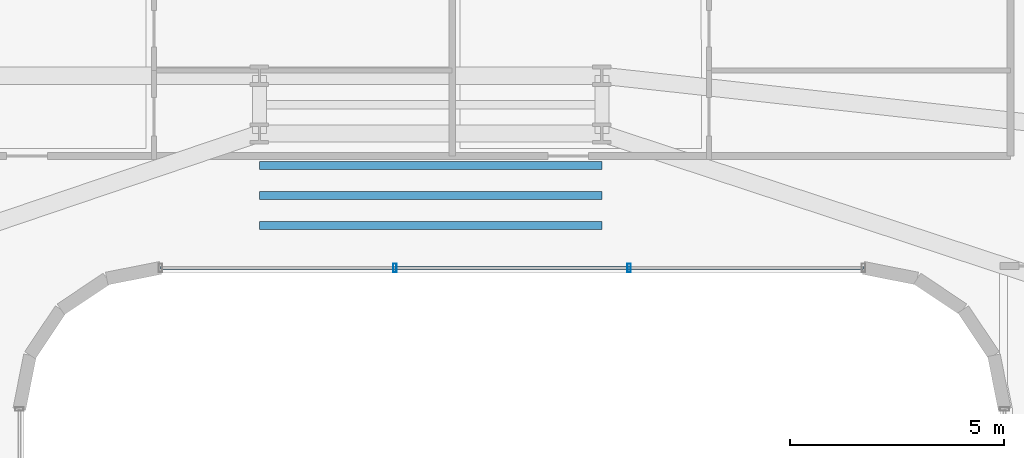
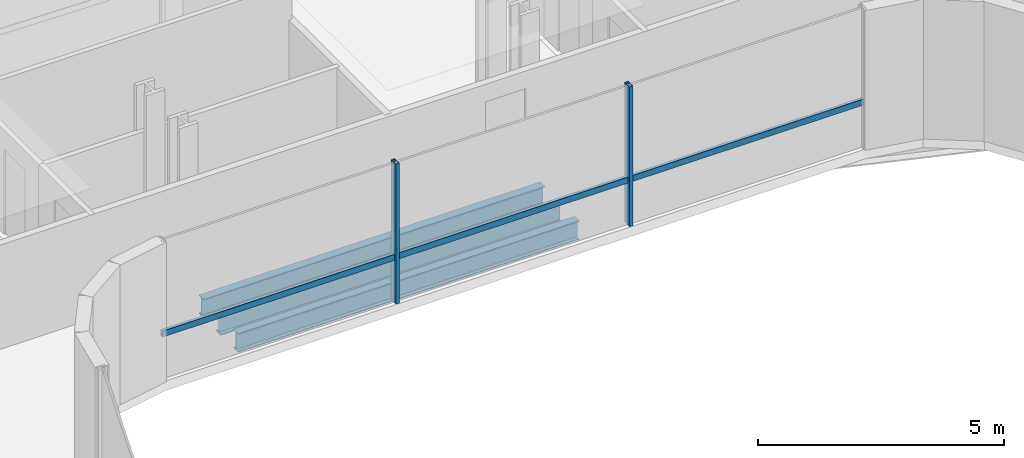
# One storey, part 16 of 41: 3 beams, 3 members, 1 element without a shape of its own.
"""IFC4 building model written with IfcOpenShell, lengths in metres."""

from ifc_helpers import new_model, si_unit, direction, frame, origin, origin_2d, place, context, subcontext, project, spatial, hollow_rectangle, i_section, extrude, source, transform, mapped, material, material_profile, profile_set, type_object, element, aggregate, save


model = new_model("IFC4")

# Units and contexts
model_context = context("Model", 3, precision=1e-05, world=origin(), true_north=direction((0.0, 1.0)))
body_context = subcontext(model_context, "Body", "Model", "MODEL_VIEW")
ifc_project = project(units=[si_unit("LENGTHUNIT", "METRE"), si_unit("AREAUNIT", "SQUARE_METRE"), si_unit("VOLUMEUNIT", "CUBIC_METRE"), si_unit("PLANEANGLEUNIT", "RADIAN"), si_unit("MASSUNIT", "GRAM", prefix="KILO")], contexts=[model_context])

# Site, building, storey
site_placement = place(None, origin())
site = spatial("IfcSite", under=ifc_project, at=site_placement, CompositionType="ELEMENT")
building_placement = place(site_placement, origin())
building = spatial("IfcBuilding", under=site, at=building_placement, Name="Valdorenza Pilgrim Sanctuary Tower", CompositionType="ELEMENT")
storey_placement = place(building_placement, frame((0.0, 0.0, 88.89990234375)))
storey = spatial("IfcBuildingStorey", under=building, at=storey_placement, Name="L22", CompositionType="ELEMENT", Elevation=88.89990234375)

# Beams
ifc_material_1 = material(Name="Steel ASTM A992 Grade 50", Category="steel")
ifc_material_profile_1 = material_profile(ifc_material_1, i_section(OverallWidth=0.193115234375, OverallDepth=0.466064453125, WebThickness=0.011474609375, FlangeThickness=0.01904296875, at=origin_2d()), Name="W18X65")
ifc_profile_set_1 = profile_set([ifc_material_profile_1], Name="Steel ASTM A992 Grade 50")
beam_type = type_object("IfcBeamType", Name="STR-BM-JST-W18A", PredefinedType="JOIST", material=ifc_profile_set_1)
shared_shape_1 = source(origin(), body_context, "Body", "SweptSolid", [
    extrude(i_section(OverallWidth=0.193115234375, OverallDepth=0.466064453125, WebThickness=0.011474609375, FlangeThickness=0.01904296875, at=origin_2d()), origin(), (0.0, 0.0, 1.0), 8.0),
])
for number, where, z_axis, x_axis, name in (
    (1, (-4.0, 11.300048828125, -0.472900390625), (1.0, 0.0, 0.0), (0.0, 1.0, 0.0), "L22 Knuckle Composite Joist JST-KNK-1"),
    (2, (-4.0, 12.0, -0.472900390625), (1.0, 0.0, 0.0), (0.0, 1.0, 0.0), "L22 Knuckle Composite Joist JST-KNK-2"),
    (3, (-4.0, 12.699951171875, -0.472900390625), (1.0, 0.0, 0.0), (0.0, 1.0, 0.0), "L22 Knuckle Composite Joist JST-KNK-3"),
):
    element("IfcBeam", number, at=place(storey_placement, frame(where, z_axis=z_axis, x_axis=x_axis)), inside=storey, type_object=beam_type, Name=name, PredefinedType="JOIST", context=body_context, shape_type="MappedRepresentation", body=[
        mapped(shared_shape_1, transform((0.0, 0.0, 0.0), x_axis=(1.0, 0.0, 0.0), y_axis=(0.0, 1.0, 0.0), z_axis=(0.0, 0.0, 1.0), scale=1.0)),
    ])

# Curtain wall, members
ifc_material_2 = material(Name="Curtain-wall IGU glazing", Category="glass")
curtain_wall_type = type_object("IfcCurtainWallType", Name="CW-SYS-02", PredefinedType="NOTDEFINED", material=ifc_material_2)
curtain_wall_placement = place(storey_placement, origin())
curtain_wall = element("IfcCurtainWall", 4, at=curtain_wall_placement, inside=storey, type_object=curtain_wall_type, Name="L22 Curtain Wall CW-L22-1-36", PredefinedType="NOTDEFINED")
ifc_material_3 = material(Name="Anodised aluminium AW-6060", Category="aluminium")
ifc_material_profile_2 = material_profile(ifc_material_3, hollow_rectangle(XDim=0.074951171875, YDim=0.14990234375, WallThickness=0.00390625, at=origin_2d()), Name="ALU-T 150x75x4")
ifc_profile_set_2 = profile_set([ifc_material_profile_2], Name="Anodised aluminium AW-6060")
member_type_1 = type_object("IfcMemberType", Name="CW-TRN-02", PredefinedType="USERDEFINED", material=ifc_profile_set_2)
shared_shape_2 = source(origin(), body_context, "Body", "SweptSolid", [
    extrude(hollow_rectangle(XDim=0.074951171875, YDim=0.14990234375, WallThickness=0.00390625, at=origin_2d()), origin(), (0.0, 0.0, 1.0), 16.421630859375),
])
member_1_placement = place(storey_placement, frame((10.11083984375, 10.31005859375, 1.1201171875), z_axis=(-1.0, 0.0, 0.0), x_axis=(0.0, -1.0, 0.0)))
member_1 = element("IfcMember", 5, at=member_1_placement, type_object=member_type_1, Name="CW-L22-1-36 Transom 1", ObjectType="TRANSOM", PredefinedType="USERDEFINED", context=body_context, shape_type="MappedRepresentation", body=[
    mapped(shared_shape_2, transform((0.0, 0.0, 0.0), x_axis=(1.0, 0.0, 0.0), y_axis=(0.0, 1.0, 0.0), z_axis=(0.0, 0.0, 1.0), scale=1.0)),
])
ifc_material_profile_3 = material_profile(ifc_material_3, hollow_rectangle(XDim=0.0849609375, YDim=0.199951171875, WallThickness=0.0048828125, at=origin_2d()), Name="ALU-M 200x85x5")
ifc_profile_set_3 = profile_set([ifc_material_profile_3], Name="Anodised aluminium AW-6060")
member_type_2 = type_object("IfcMemberType", Name="CW-MUL-02", PredefinedType="MULLION", material=ifc_profile_set_3)
shared_shape_3 = source(origin(), body_context, "Body", "SweptSolid", [
    extrude(hollow_rectangle(XDim=0.0849609375, YDim=0.199951171875, WallThickness=0.0048828125, at=origin_2d()), origin(), (0.0, 0.0, 1.0), 3.460205078125),
])
member_2_placement = place(storey_placement, frame((4.636962890625, 10.31005859375, 0.0), z_axis=(0.0, 0.0, 1.0), x_axis=(-1.0, 0.0, 0.0)))
member_2 = element("IfcMember", 6, at=member_2_placement, type_object=member_type_2, Name="CW-L22-1-36 Mullion 2", PredefinedType="MULLION", context=body_context, shape_type="MappedRepresentation", body=[
    mapped(shared_shape_3, transform((0.0, 0.0, 0.0), x_axis=(1.0, 0.0, 0.0), y_axis=(0.0, 1.0, 0.0), z_axis=(0.0, 0.0, 1.0), scale=1.0)),
])
member_3_placement = place(storey_placement, frame((-0.8369140625, 10.31005859375, 0.0), z_axis=(0.0, 0.0, 1.0), x_axis=(-1.0, 0.0, 0.0)))
member_3 = element("IfcMember", 7, at=member_3_placement, type_object=member_type_2, Name="CW-L22-1-36 Mullion 3", PredefinedType="MULLION", context=body_context, shape_type="MappedRepresentation", body=[
    mapped(shared_shape_3, transform((0.0, 0.0, 0.0), x_axis=(1.0, 0.0, 0.0), y_axis=(0.0, 1.0, 0.0), z_axis=(0.0, 0.0, 1.0), scale=1.0)),
])
aggregate(curtain_wall, [member_2, member_3, member_1])

save(model, "model.ifc")
